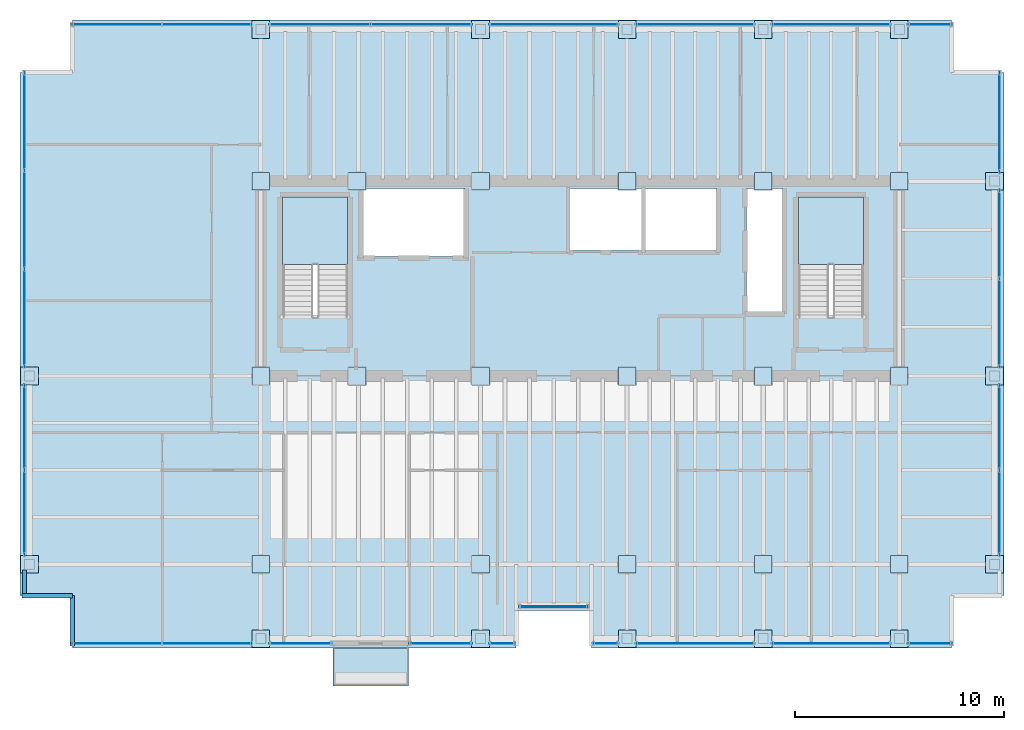
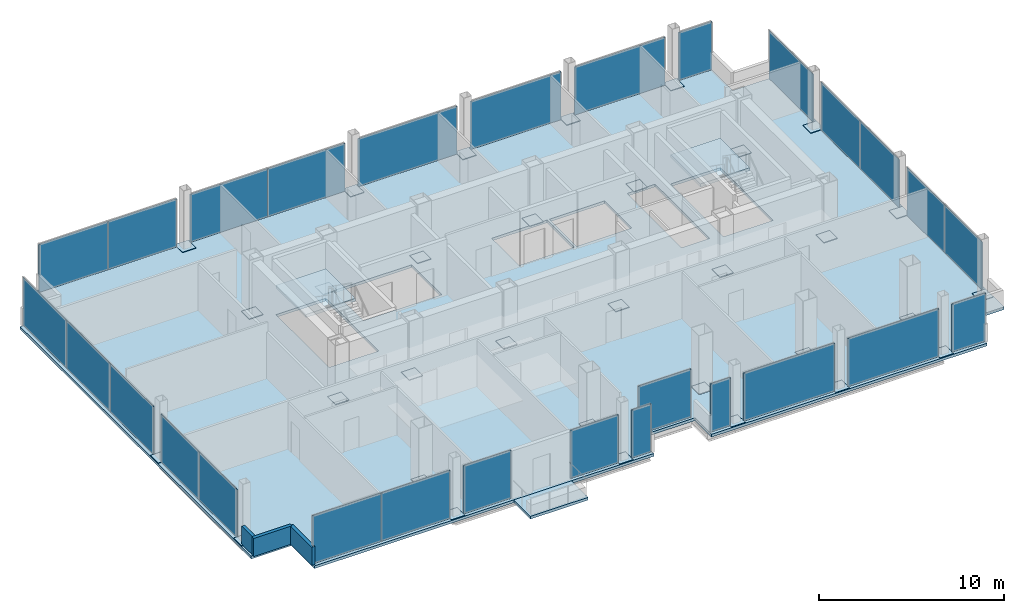
# One storey, part 15 of 19: 60 plates, 4 slabs, 3 walls, 6 openings, 22 elements without a shape of their own.
"""IFC4 building model written with IfcOpenShell, lengths in metres."""

from ifc_helpers import new_model, si_unit, direction, frame, frame_2d, origin, origin_2d, place, context, subcontext, project, spatial, polyline, rectangle, outline, extrude, material, layer, layer_set, type_object, element, aggregate, save


model = new_model("IFC4")

# Units and contexts
model_context = context("Model", 3, precision=1e-05, world=origin(), true_north=direction((0.0, 1.0)))
body_context = subcontext(model_context, "Body", "Model", "MODEL_VIEW")
ifc_project = project(units=[si_unit("LENGTHUNIT", "METRE"), si_unit("AREAUNIT", "SQUARE_METRE"), si_unit("VOLUMEUNIT", "CUBIC_METRE"), si_unit("PLANEANGLEUNIT", "RADIAN"), si_unit("MASSUNIT", "GRAM", prefix="KILO")], contexts=[model_context])

# Site, building, storey
site_placement = place(None, origin())
site = spatial("IfcSite", under=ifc_project, at=site_placement, CompositionType="ELEMENT")
building_placement = place(site_placement, origin())
building = spatial("IfcBuilding", under=site, at=building_placement, Name="Noeulbin Bourse Tower", CompositionType="ELEMENT")
storey_placement = place(building_placement, frame((0.0, 0.0, 157.800048828125)))
storey = spatial("IfcBuildingStorey", under=building, at=storey_placement, Name="L39", CompositionType="ELEMENT", Elevation=157.800048828125)

# Curtain wall, plate
ifc_material_1 = material(Name="Dark Tinted Triple Glazing", Category="glass")
curtain_wall_type = type_object("IfcCurtainWallType", Name="CW-SYS-3", PredefinedType="NOTDEFINED", material=ifc_material_1)
curtain_wall_1_placement = place(storey_placement, origin())
curtain_wall_1 = element("IfcCurtainWall", 1, at=curtain_wall_1_placement, inside=storey, type_object=curtain_wall_type, Name="Unitised Curtain Wall CW-L39-SREC", PredefinedType="NOTDEFINED")
ifc_layer_1 = layer(ifc_material_1, 0.035888671875)
ifc_layer_set_1 = layer_set([ifc_layer_1], Name="Dark Tinted Triple Glazing")
plate_type_1 = type_object("IfcPlateType", Name="CW-SYS-3-PNL", PredefinedType="CURTAIN_PANEL", material=ifc_layer_set_1)
plate_1_placement = place(storey_placement, frame((27.5, 17.97998046875, 0.0), z_axis=(0.0, 0.0, 1.0), x_axis=(1.0, 0.0, 0.0)))
plate_1 = element("IfcPlate", 2, at=plate_1_placement, type_object=plate_type_1, Name="Glazed Curtain Panel CW-L39-SREC-P00", PredefinedType="CURTAIN_PANEL", context=body_context, shape_type="SweptSolid", body=[
    extrude(rectangle(XDim=3.300048828125, YDim=0.035888671875, at=origin_2d()), origin(), (0.0, 0.0, 1.0), 3.179931640625),
])
aggregate(curtain_wall_1, [plate_1])

# Curtain wall, plates
curtain_wall_2_placement = place(storey_placement, origin())
curtain_wall_2 = element("IfcCurtainWall", 3, at=curtain_wall_2_placement, inside=storey, type_object=curtain_wall_type, Name="Unitised Curtain Wall CW-L39-S1-S1", PredefinedType="NOTDEFINED")
plate_2_placement = place(storey_placement, frame((6.632568359375, 16.219970703125, 0.0), z_axis=(0.0, 0.0, 1.0), x_axis=(1.0, 0.0, 0.0)))
plate_2 = element("IfcPlate", 4, at=plate_2_placement, type_object=plate_type_1, Name="Glazed Curtain Panel CW-L39-S1-S1-P00", PredefinedType="CURTAIN_PANEL", context=body_context, shape_type="SweptSolid", body=[
    extrude(rectangle(XDim=4.304931640625, YDim=0.035888671875, at=origin_2d()), origin(), (0.0, 0.0, 1.0), 3.179931640625),
])
plate_3_placement = place(storey_placement, frame((10.9375, 16.219970703125, 0.0), z_axis=(0.0, 0.0, 1.0), x_axis=(1.0, 0.0, 0.0)))
plate_3 = element("IfcPlate", 5, at=plate_3_placement, type_object=plate_type_1, Name="Glazed Curtain Panel CW-L39-S1-S1-P01", PredefinedType="CURTAIN_PANEL", context=body_context, shape_type="SweptSolid", body=[
    extrude(rectangle(XDim=4.304931640625, YDim=0.035888671875, at=origin_2d()), origin(), (0.0, 0.0, 1.0), 3.179931640625),
])
aggregate(curtain_wall_2, [plate_2, plate_3])

# Curtain wall, plate
curtain_wall_3_placement = place(storey_placement, origin())
curtain_wall_3 = element("IfcCurtainWall", 6, at=curtain_wall_3_placement, inside=storey, type_object=curtain_wall_type, Name="Unitised Curtain Wall CW-L39-S1-S2", PredefinedType="NOTDEFINED")
plate_4_placement = place(storey_placement, frame((15.405029296875, 16.219970703125, 0.0), z_axis=(0.0, 0.0, 1.0), x_axis=(1.0, 0.0, 0.0)))
plate_4 = element("IfcPlate", 7, at=plate_4_placement, type_object=plate_type_1, Name="Glazed Curtain Panel CW-L39-S1-S2-P00", PredefinedType="CURTAIN_PANEL", context=body_context, shape_type="SweptSolid", body=[
    extrude(rectangle(XDim=2.989990234375, YDim=0.035888671875, at=origin_2d()), origin(), (0.0, 0.0, 1.0), 3.179931640625),
])
aggregate(curtain_wall_3, [plate_4])

curtain_wall_4_placement = place(storey_placement, origin())
curtain_wall_4 = element("IfcCurtainWall", 8, at=curtain_wall_4_placement, inside=storey, type_object=curtain_wall_type, Name="Unitised Curtain Wall CW-L39-S2-S1", PredefinedType="NOTDEFINED")
plate_5_placement = place(storey_placement, frame((22.094970703125, 16.219970703125, 0.0), z_axis=(0.0, 0.0, 1.0), x_axis=(1.0, 0.0, 0.0)))
plate_5 = element("IfcPlate", 9, at=plate_5_placement, type_object=plate_type_1, Name="Glazed Curtain Panel CW-L39-S2-S1-P00", PredefinedType="CURTAIN_PANEL", context=body_context, shape_type="SweptSolid", body=[
    extrude(rectangle(XDim=2.989990234375, YDim=0.035888671875, at=origin_2d()), origin(), (0.0, 0.0, 1.0), 3.179931640625),
])
aggregate(curtain_wall_4, [plate_5])

curtain_wall_5_placement = place(storey_placement, origin())
curtain_wall_5 = element("IfcCurtainWall", 10, at=curtain_wall_5_placement, inside=storey, type_object=curtain_wall_type, Name="Unitised Curtain Wall CW-L39-S2-S2", PredefinedType="NOTDEFINED")
plate_6_placement = place(storey_placement, frame((25.030029296875, 16.219970703125, 0.0), z_axis=(0.0, 0.0, 1.0), x_axis=(1.0, 0.0, 0.0)))
plate_6 = element("IfcPlate", 11, at=plate_6_placement, type_object=plate_type_1, Name="Glazed Curtain Panel CW-L39-S2-S2-P00", PredefinedType="CURTAIN_PANEL", context=body_context, shape_type="SweptSolid", body=[
    extrude(rectangle(XDim=1.239990234375, YDim=0.035888671875, at=origin_2d()), origin(), (0.0, 0.0, 1.0), 3.179931640625),
])
aggregate(curtain_wall_5, [plate_6])

curtain_wall_6_placement = place(storey_placement, origin())
curtain_wall_6 = element("IfcCurtainWall", 12, at=curtain_wall_6_placement, inside=storey, type_object=curtain_wall_type, Name="Unitised Curtain Wall CW-L39-S3-S1", PredefinedType="NOTDEFINED")
plate_7_placement = place(storey_placement, frame((29.969970703125, 16.219970703125, 0.0), z_axis=(0.0, 0.0, 1.0), x_axis=(1.0, 0.0, 0.0)))
plate_7 = element("IfcPlate", 13, at=plate_7_placement, type_object=plate_type_1, Name="Glazed Curtain Panel CW-L39-S3-S1-P00", PredefinedType="CURTAIN_PANEL", context=body_context, shape_type="SweptSolid", body=[
    extrude(rectangle(XDim=1.239990234375, YDim=0.035888671875, at=origin_2d()), origin(), (0.0, 0.0, 1.0), 3.179931640625),
])
aggregate(curtain_wall_6, [plate_7])

curtain_wall_7_placement = place(storey_placement, origin())
curtain_wall_7 = element("IfcCurtainWall", 14, at=curtain_wall_7_placement, inside=storey, type_object=curtain_wall_type, Name="Unitised Curtain Wall CW-L39-S3-S2", PredefinedType="NOTDEFINED")
plate_8_placement = place(storey_placement, frame((34.25, 16.219970703125, 0.0), z_axis=(0.0, 0.0, 1.0), x_axis=(1.0, 0.0, 0.0)))
plate_8 = element("IfcPlate", 15, at=plate_8_placement, type_object=plate_type_1, Name="Glazed Curtain Panel CW-L39-S3-S2-P00", PredefinedType="CURTAIN_PANEL", context=body_context, shape_type="SweptSolid", body=[
    extrude(rectangle(XDim=5.679931640625, YDim=0.035888671875, at=origin_2d()), origin(), (0.0, 0.0, 1.0), 3.179931640625),
])
aggregate(curtain_wall_7, [plate_8])

curtain_wall_8_placement = place(storey_placement, origin())
curtain_wall_8 = element("IfcCurtainWall", 16, at=curtain_wall_8_placement, inside=storey, type_object=curtain_wall_type, Name="Unitised Curtain Wall CW-L39-S3-S3", PredefinedType="NOTDEFINED")
plate_9_placement = place(storey_placement, frame((40.75, 16.219970703125, 0.0), z_axis=(0.0, 0.0, 1.0), x_axis=(1.0, 0.0, 0.0)))
plate_9 = element("IfcPlate", 17, at=plate_9_placement, type_object=plate_type_1, Name="Glazed Curtain Panel CW-L39-S3-S3-P00", PredefinedType="CURTAIN_PANEL", context=body_context, shape_type="SweptSolid", body=[
    extrude(rectangle(XDim=5.679931640625, YDim=0.035888671875, at=origin_2d()), origin(), (0.0, 0.0, 1.0), 3.179931640625),
])
aggregate(curtain_wall_8, [plate_9])

curtain_wall_9_placement = place(storey_placement, origin())
curtain_wall_9 = element("IfcCurtainWall", 18, at=curtain_wall_9_placement, inside=storey, type_object=curtain_wall_type, Name="Unitised Curtain Wall CW-L39-S3-S4", PredefinedType="NOTDEFINED")
plate_10_placement = place(storey_placement, frame((45.465087890625, 16.219970703125, 0.0), z_axis=(0.0, 0.0, 1.0), x_axis=(1.0, 0.0, 0.0)))
plate_10 = element("IfcPlate", 19, at=plate_10_placement, type_object=plate_type_1, Name="Glazed Curtain Panel CW-L39-S3-S4-P00", PredefinedType="CURTAIN_PANEL", context=body_context, shape_type="SweptSolid", body=[
    extrude(rectangle(XDim=2.110107421875, YDim=0.035888671875, at=origin_2d()), origin(), (0.0, 0.0, 1.0), 3.179931640625),
])
aggregate(curtain_wall_9, [plate_10])

# Curtain wall, plates
curtain_wall_10_placement = place(storey_placement, origin())
curtain_wall_10 = element("IfcCurtainWall", 20, at=curtain_wall_10_placement, inside=storey, type_object=curtain_wall_type, Name="Unitised Curtain Wall CW-L39-N-S1", PredefinedType="NOTDEFINED")
plate_11_placement = place(storey_placement, frame((6.632568359375, 45.780029296875, 0.0), z_axis=(0.0, 0.0, 1.0), x_axis=(1.0, 0.0, 0.0)))
plate_11 = element("IfcPlate", 21, at=plate_11_placement, type_object=plate_type_1, Name="Glazed Curtain Panel CW-L39-N-S1-P00", PredefinedType="CURTAIN_PANEL", context=body_context, shape_type="SweptSolid", body=[
    extrude(rectangle(XDim=4.304931640625, YDim=0.035888671875, at=origin_2d()), origin(), (0.0, 0.0, 1.0), 3.179931640625),
])
plate_12_placement = place(storey_placement, frame((10.9375, 45.780029296875, 0.0), z_axis=(0.0, 0.0, 1.0), x_axis=(1.0, 0.0, 0.0)))
plate_12 = element("IfcPlate", 22, at=plate_12_placement, type_object=plate_type_1, Name="Glazed Curtain Panel CW-L39-N-S1-P01", PredefinedType="CURTAIN_PANEL", context=body_context, shape_type="SweptSolid", body=[
    extrude(rectangle(XDim=4.304931640625, YDim=0.035888671875, at=origin_2d()), origin(), (0.0, 0.0, 1.0), 3.179931640625),
])
aggregate(curtain_wall_10, [plate_11, plate_12])

curtain_wall_11_placement = place(storey_placement, origin())
curtain_wall_11 = element("IfcCurtainWall", 23, at=curtain_wall_11_placement, inside=storey, type_object=curtain_wall_type, Name="Unitised Curtain Wall CW-L39-N-S2", PredefinedType="NOTDEFINED")
plate_13_placement = place(storey_placement, frame((16.330078125, 45.780029296875, 0.0), z_axis=(0.0, 0.0, 1.0), x_axis=(1.0, 0.0, 0.0)))
plate_13 = element("IfcPlate", 24, at=plate_13_placement, type_object=plate_type_1, Name="Glazed Curtain Panel CW-L39-N-S2-P00", PredefinedType="CURTAIN_PANEL", context=body_context, shape_type="SweptSolid", body=[
    extrude(rectangle(XDim=4.840087890625, YDim=0.035888671875, at=origin_2d()), origin(), (0.0, 0.0, 1.0), 3.179931640625),
])
plate_14_placement = place(storey_placement, frame((21.169921875, 45.780029296875, 0.0), z_axis=(0.0, 0.0, 1.0), x_axis=(1.0, 0.0, 0.0)))
plate_14 = element("IfcPlate", 25, at=plate_14_placement, type_object=plate_type_1, Name="Glazed Curtain Panel CW-L39-N-S2-P01", PredefinedType="CURTAIN_PANEL", context=body_context, shape_type="SweptSolid", body=[
    extrude(rectangle(XDim=4.840087890625, YDim=0.035888671875, at=origin_2d()), origin(), (0.0, 0.0, 1.0), 3.179931640625),
])
aggregate(curtain_wall_11, [plate_13, plate_14])

# Curtain wall, plate
curtain_wall_12_placement = place(storey_placement, origin())
curtain_wall_12 = element("IfcCurtainWall", 26, at=curtain_wall_12_placement, inside=storey, type_object=curtain_wall_type, Name="Unitised Curtain Wall CW-L39-N-S3", PredefinedType="NOTDEFINED")
plate_15_placement = place(storey_placement, frame((27.5, 45.780029296875, 0.0), z_axis=(0.0, 0.0, 1.0), x_axis=(1.0, 0.0, 0.0)))
plate_15 = element("IfcPlate", 27, at=plate_15_placement, type_object=plate_type_1, Name="Glazed Curtain Panel CW-L39-N-S3-P00", PredefinedType="CURTAIN_PANEL", context=body_context, shape_type="SweptSolid", body=[
    extrude(rectangle(XDim=6.179931640625, YDim=0.035888671875, at=origin_2d()), origin(), (0.0, 0.0, 1.0), 3.179931640625),
])
aggregate(curtain_wall_12, [plate_15])

curtain_wall_13_placement = place(storey_placement, origin())
curtain_wall_13 = element("IfcCurtainWall", 28, at=curtain_wall_13_placement, inside=storey, type_object=curtain_wall_type, Name="Unitised Curtain Wall CW-L39-N-S4", PredefinedType="NOTDEFINED")
plate_16_placement = place(storey_placement, frame((34.25, 45.780029296875, 0.0), z_axis=(0.0, 0.0, 1.0), x_axis=(1.0, 0.0, 0.0)))
plate_16 = element("IfcPlate", 29, at=plate_16_placement, type_object=plate_type_1, Name="Glazed Curtain Panel CW-L39-N-S4-P00", PredefinedType="CURTAIN_PANEL", context=body_context, shape_type="SweptSolid", body=[
    extrude(rectangle(XDim=5.679931640625, YDim=0.035888671875, at=origin_2d()), origin(), (0.0, 0.0, 1.0), 3.179931640625),
])
aggregate(curtain_wall_13, [plate_16])

curtain_wall_14_placement = place(storey_placement, origin())
curtain_wall_14 = element("IfcCurtainWall", 30, at=curtain_wall_14_placement, inside=storey, type_object=curtain_wall_type, Name="Unitised Curtain Wall CW-L39-N-S5", PredefinedType="NOTDEFINED")
plate_17_placement = place(storey_placement, frame((40.75, 45.780029296875, 0.0), z_axis=(0.0, 0.0, 1.0), x_axis=(1.0, 0.0, 0.0)))
plate_17 = element("IfcPlate", 31, at=plate_17_placement, type_object=plate_type_1, Name="Glazed Curtain Panel CW-L39-N-S5-P00", PredefinedType="CURTAIN_PANEL", context=body_context, shape_type="SweptSolid", body=[
    extrude(rectangle(XDim=5.679931640625, YDim=0.035888671875, at=origin_2d()), origin(), (0.0, 0.0, 1.0), 3.179931640625),
])
aggregate(curtain_wall_14, [plate_17])

curtain_wall_15_placement = place(storey_placement, origin())
curtain_wall_15 = element("IfcCurtainWall", 32, at=curtain_wall_15_placement, inside=storey, type_object=curtain_wall_type, Name="Unitised Curtain Wall CW-L39-N-S6", PredefinedType="NOTDEFINED")
plate_18_placement = place(storey_placement, frame((45.465087890625, 45.780029296875, 0.0), z_axis=(0.0, 0.0, 1.0), x_axis=(1.0, 0.0, 0.0)))
plate_18 = element("IfcPlate", 33, at=plate_18_placement, type_object=plate_type_1, Name="Glazed Curtain Panel CW-L39-N-S6-P00", PredefinedType="CURTAIN_PANEL", context=body_context, shape_type="SweptSolid", body=[
    extrude(rectangle(XDim=2.110107421875, YDim=0.035888671875, at=origin_2d()), origin(), (0.0, 0.0, 1.0), 3.179931640625),
])
aggregate(curtain_wall_15, [plate_18])

# Curtain wall, plates
curtain_wall_16_placement = place(storey_placement, origin())
curtain_wall_16 = element("IfcCurtainWall", 34, at=curtain_wall_16_placement, inside=storey, type_object=curtain_wall_type, Name="Unitised Curtain Wall CW-L39-W-S1", PredefinedType="NOTDEFINED")
plate_19_placement = place(storey_placement, frame((2.219970703125, 22.455078125, 0.0), z_axis=(0.0, 0.0, 1.0), x_axis=(0.0, 1.0, 0.0)))
plate_19 = element("IfcPlate", 35, at=plate_19_placement, type_object=plate_type_1, Name="Glazed Curtain Panel CW-L39-W-S1-P00", PredefinedType="CURTAIN_PANEL", context=body_context, shape_type="SweptSolid", body=[
    extrude(rectangle(XDim=4.090087890625, YDim=0.035888671875, at=origin_2d()), origin(), (0.0, 0.0, 1.0), 3.179931640625),
])
plate_20_placement = place(storey_placement, frame((2.219970703125, 26.544921875, 0.0), z_axis=(0.0, 0.0, 1.0), x_axis=(0.0, 1.0, 0.0)))
plate_20 = element("IfcPlate", 36, at=plate_20_placement, type_object=plate_type_1, Name="Glazed Curtain Panel CW-L39-W-S1-P01", PredefinedType="CURTAIN_PANEL", context=body_context, shape_type="SweptSolid", body=[
    extrude(rectangle(XDim=4.090087890625, YDim=0.035888671875, at=origin_2d()), origin(), (0.0, 0.0, 1.0), 3.179931640625),
])
aggregate(curtain_wall_16, [plate_19, plate_20])

curtain_wall_17_placement = place(storey_placement, origin())
curtain_wall_17 = element("IfcCurtainWall", 37, at=curtain_wall_17_placement, inside=storey, type_object=curtain_wall_type, Name="Unitised Curtain Wall CW-L39-W-S2", PredefinedType="NOTDEFINED")
plate_21_placement = place(storey_placement, frame((2.219970703125, 31.76171875, 0.0), z_axis=(0.0, 0.0, 1.0), x_axis=(0.0, 1.0, 0.0)))
plate_21 = element("IfcPlate", 38, at=plate_21_placement, type_object=plate_type_1, Name="Glazed Curtain Panel CW-L39-W-S2-P00", PredefinedType="CURTAIN_PANEL", context=body_context, shape_type="SweptSolid", body=[
    extrude(rectangle(XDim=4.703369140625, YDim=0.035888671875, at=origin_2d()), origin(), (0.0, 0.0, 1.0), 3.179931640625),
])
plate_22_placement = place(storey_placement, frame((2.219970703125, 36.465087890625, 0.0), z_axis=(0.0, 0.0, 1.0), x_axis=(0.0, 1.0, 0.0)))
plate_22 = element("IfcPlate", 39, at=plate_22_placement, type_object=plate_type_1, Name="Glazed Curtain Panel CW-L39-W-S2-P01", PredefinedType="CURTAIN_PANEL", context=body_context, shape_type="SweptSolid", body=[
    extrude(rectangle(XDim=4.703369140625, YDim=0.035888671875, at=origin_2d()), origin(), (0.0, 0.0, 1.0), 3.179931640625),
])
plate_23_placement = place(storey_placement, frame((2.219970703125, 41.168212890625, 0.0), z_axis=(0.0, 0.0, 1.0), x_axis=(0.0, 1.0, 0.0)))
plate_23 = element("IfcPlate", 40, at=plate_23_placement, type_object=plate_type_1, Name="Glazed Curtain Panel CW-L39-W-S2-P02", PredefinedType="CURTAIN_PANEL", context=body_context, shape_type="SweptSolid", body=[
    extrude(rectangle(XDim=4.703369140625, YDim=0.035888671875, at=origin_2d()), origin(), (0.0, 0.0, 1.0), 3.179931640625),
])
aggregate(curtain_wall_17, [plate_21, plate_22, plate_23])

curtain_wall_18_placement = place(storey_placement, origin())
curtain_wall_18 = element("IfcCurtainWall", 41, at=curtain_wall_18_placement, inside=storey, type_object=curtain_wall_type, Name="Unitised Curtain Wall CW-L39-E-S1", PredefinedType="NOTDEFINED")
plate_24_placement = place(storey_placement, frame((48.780029296875, 22.455078125, 0.0), z_axis=(0.0, 0.0, 1.0), x_axis=(0.0, 1.0, 0.0)))
plate_24 = element("IfcPlate", 42, at=plate_24_placement, type_object=plate_type_1, Name="Glazed Curtain Panel CW-L39-E-S1-P00", PredefinedType="CURTAIN_PANEL", context=body_context, shape_type="SweptSolid", body=[
    extrude(rectangle(XDim=4.090087890625, YDim=0.035888671875, at=origin_2d()), origin(), (0.0, 0.0, 1.0), 3.179931640625),
])
plate_25_placement = place(storey_placement, frame((48.780029296875, 26.544921875, 0.0), z_axis=(0.0, 0.0, 1.0), x_axis=(0.0, 1.0, 0.0)))
plate_25 = element("IfcPlate", 43, at=plate_25_placement, type_object=plate_type_1, Name="Glazed Curtain Panel CW-L39-E-S1-P01", PredefinedType="CURTAIN_PANEL", context=body_context, shape_type="SweptSolid", body=[
    extrude(rectangle(XDim=4.090087890625, YDim=0.035888671875, at=origin_2d()), origin(), (0.0, 0.0, 1.0), 3.179931640625),
])
aggregate(curtain_wall_18, [plate_24, plate_25])

curtain_wall_19_placement = place(storey_placement, origin())
curtain_wall_19 = element("IfcCurtainWall", 44, at=curtain_wall_19_placement, inside=storey, type_object=curtain_wall_type, Name="Unitised Curtain Wall CW-L39-E-S2", PredefinedType="NOTDEFINED")
plate_26_placement = place(storey_placement, frame((48.780029296875, 31.530029296875, 0.0), z_axis=(0.0, 0.0, 1.0), x_axis=(0.0, 1.0, 0.0)))
plate_26 = element("IfcPlate", 45, at=plate_26_placement, type_object=plate_type_1, Name="Glazed Curtain Panel CW-L39-E-S2-P00", PredefinedType="CURTAIN_PANEL", context=body_context, shape_type="SweptSolid", body=[
    extrude(rectangle(XDim=4.239990234375, YDim=0.035888671875, at=origin_2d()), origin(), (0.0, 0.0, 1.0), 3.179931640625),
])
plate_27_placement = place(storey_placement, frame((48.780029296875, 35.77001953125, 0.0), z_axis=(0.0, 0.0, 1.0), x_axis=(0.0, 1.0, 0.0)))
plate_27 = element("IfcPlate", 46, at=plate_27_placement, type_object=plate_type_1, Name="Glazed Curtain Panel CW-L39-E-S2-P01", PredefinedType="CURTAIN_PANEL", context=body_context, shape_type="SweptSolid", body=[
    extrude(rectangle(XDim=4.239990234375, YDim=0.035888671875, at=origin_2d()), origin(), (0.0, 0.0, 1.0), 3.179931640625),
])
aggregate(curtain_wall_19, [plate_26, plate_27])

# Curtain wall, plate
curtain_wall_20_placement = place(storey_placement, origin())
curtain_wall_20 = element("IfcCurtainWall", 47, at=curtain_wall_20_placement, inside=storey, type_object=curtain_wall_type, Name="Unitised Curtain Wall CW-L39-E-S3", PredefinedType="NOTDEFINED")
plate_28_placement = place(storey_placement, frame((48.780029296875, 41.114990234375, 0.0), z_axis=(0.0, 0.0, 1.0), x_axis=(0.0, 1.0, 0.0)))
plate_28 = element("IfcPlate", 48, at=plate_28_placement, type_object=plate_type_1, Name="Glazed Curtain Panel CW-L39-E-S3-P00", PredefinedType="CURTAIN_PANEL", context=body_context, shape_type="SweptSolid", body=[
    extrude(rectangle(XDim=4.81005859375, YDim=0.035888671875, at=origin_2d()), origin(), (0.0, 0.0, 1.0), 3.179931640625),
])
aggregate(curtain_wall_20, [plate_28])

# Plates
ifc_material_2 = material(Name="Steel S355", Category="steel")
ifc_layer_2 = layer(ifc_material_2, 0.030029296875)
ifc_layer_set_2 = layer_set([ifc_layer_2], Name="Steel S355")
plate_type_2 = type_object("IfcPlateType", Name="PLT-BN1", PredefinedType="USERDEFINED", material=ifc_layer_set_2)
for number, where, z_axis, x_axis, name in (
    (49, (13.5, 29.0, 0.0048828125), (0.0, 0.0, 1.0), (1.0, 0.0, 0.0), "Mega-Column Splice Plate BN1-L39-01"),
    (50, (13.5, 38.300048828125, 0.0048828125), (0.0, 0.0, 1.0), (1.0, 0.0, 0.0), "Mega-Column Splice Plate BN1-L39-02"),
    (51, (18.10009765625, 29.0, 0.0048828125), (0.0, 0.0, 1.0), (1.0, 0.0, 0.0), "Mega-Column Splice Plate BN1-L39-03"),
    (52, (18.10009765625, 38.300048828125, 0.0048828125), (0.0, 0.0, 1.0), (1.0, 0.0, 0.0), "Mega-Column Splice Plate BN1-L39-04"),
    (53, (24.0, 29.0, 0.0048828125), (0.0, 0.0, 1.0), (1.0, 0.0, 0.0), "Mega-Column Splice Plate BN1-L39-05"),
    (54, (24.0, 38.300048828125, 0.0048828125), (0.0, 0.0, 1.0), (1.0, 0.0, 0.0), "Mega-Column Splice Plate BN1-L39-06"),
    (55, (31.0, 29.0, 0.0048828125), (0.0, 0.0, 1.0), (1.0, 0.0, 0.0), "Mega-Column Splice Plate BN1-L39-07"),
    (56, (31.0, 38.300048828125, 0.0048828125), (0.0, 0.0, 1.0), (1.0, 0.0, 0.0), "Mega-Column Splice Plate BN1-L39-08"),
    (57, (37.5, 29.0, 0.0048828125), (0.0, 0.0, 1.0), (1.0, 0.0, 0.0), "Mega-Column Splice Plate BN1-L39-09"),
    (58, (37.5, 38.300048828125, 0.0048828125), (0.0, 0.0, 1.0), (1.0, 0.0, 0.0), "Mega-Column Splice Plate BN1-L39-10"),
    (59, (44.0, 29.0, 0.0048828125), (0.0, 0.0, 1.0), (1.0, 0.0, 0.0), "Mega-Column Splice Plate BN1-L39-11"),
    (60, (44.0, 38.300048828125, 0.0048828125), (0.0, 0.0, 1.0), (1.0, 0.0, 0.0), "Mega-Column Splice Plate BN1-L39-12"),
    (61, (13.5, 20.0, 0.0048828125), (0.0, 0.0, 1.0), (1.0, 0.0, 0.0), "Mega-Column Splice Plate BN1-L39-13"),
    (62, (24.0, 20.0, 0.0048828125), (0.0, 0.0, 1.0), (1.0, 0.0, 0.0), "Mega-Column Splice Plate BN1-L39-14"),
    (63, (31.0, 20.0, 0.0048828125), (0.0, 0.0, 1.0), (1.0, 0.0, 0.0), "Mega-Column Splice Plate BN1-L39-15"),
    (64, (37.5, 20.0, 0.0048828125), (0.0, 0.0, 1.0), (1.0, 0.0, 0.0), "Mega-Column Splice Plate BN1-L39-16"),
    (65, (44.0, 20.0, 0.0048828125), (0.0, 0.0, 1.0), (1.0, 0.0, 0.0), "Mega-Column Splice Plate BN1-L39-17"),
    (66, (2.449951171875, 20.0, 0.0048828125), (0.0, 0.0, 1.0), (1.0, 0.0, 0.0), "Perimeter Column Splice Plate BN1-L39-01"),
    (67, (2.449951171875, 29.0, 0.0048828125), (0.0, 0.0, 1.0), (1.0, 0.0, 0.0), "Perimeter Column Splice Plate BN1-L39-02"),
    (68, (13.5, 16.449951171875, 0.0048828125), (0.0, 0.0, 1.0), (1.0, 0.0, 0.0), "Perimeter Column Splice Plate BN1-L39-03"),
    (69, (13.5, 45.550048828125, 0.0048828125), (0.0, 0.0, 1.0), (1.0, 0.0, 0.0), "Perimeter Column Splice Plate BN1-L39-04"),
    (70, (24.0, 16.449951171875, 0.0048828125), (0.0, 0.0, 1.0), (1.0, 0.0, 0.0), "Perimeter Column Splice Plate BN1-L39-05"),
    (71, (24.0, 45.550048828125, 0.0048828125), (0.0, 0.0, 1.0), (1.0, 0.0, 0.0), "Perimeter Column Splice Plate BN1-L39-06"),
    (72, (31.0, 16.449951171875, 0.0048828125), (0.0, 0.0, 1.0), (1.0, 0.0, 0.0), "Perimeter Column Splice Plate BN1-L39-07"),
    (73, (31.0, 45.550048828125, 0.0048828125), (0.0, 0.0, 1.0), (1.0, 0.0, 0.0), "Perimeter Column Splice Plate BN1-L39-08"),
    (74, (37.5, 16.449951171875, 0.0048828125), (0.0, 0.0, 1.0), (1.0, 0.0, 0.0), "Perimeter Column Splice Plate BN1-L39-09"),
    (75, (37.5, 45.550048828125, 0.0048828125), (0.0, 0.0, 1.0), (1.0, 0.0, 0.0), "Perimeter Column Splice Plate BN1-L39-10"),
    (76, (44.0, 16.449951171875, 0.0048828125), (0.0, 0.0, 1.0), (1.0, 0.0, 0.0), "Perimeter Column Splice Plate BN1-L39-11"),
    (77, (44.0, 45.550048828125, 0.0048828125), (0.0, 0.0, 1.0), (1.0, 0.0, 0.0), "Perimeter Column Splice Plate BN1-L39-12"),
    (78, (48.550048828125, 20.0, 0.0048828125), (0.0, 0.0, 1.0), (1.0, 0.0, 0.0), "Perimeter Column Splice Plate BN1-L39-13"),
    (79, (48.550048828125, 29.0, 0.0048828125), (0.0, 0.0, 1.0), (1.0, 0.0, 0.0), "Perimeter Column Splice Plate BN1-L39-14"),
    (80, (48.550048828125, 38.300048828125, 0.0048828125), (0.0, 0.0, 1.0), (1.0, 0.0, 0.0), "Perimeter Column Splice Plate BN1-L39-15"),
):
    element("IfcPlate", number, at=place(storey_placement, frame(where, z_axis=z_axis, x_axis=x_axis)), inside=storey, type_object=plate_type_2, Name=name, ObjectType="SPLICE PLATE", PredefinedType="USERDEFINED", context=body_context, shape_type="SweptSolid", body=[
        extrude(rectangle(XDim=0.85009765625, YDim=0.85009765625, at=origin_2d()), origin(), (0.0, 0.0, 1.0), 0.030029296875),
    ])

# Stair, slab
ifc_material_3 = material(Name="Concrete C40/50", Category="concrete")
stair_type = type_object("IfcStairType", Name="STR-CORE-1560", PredefinedType="HALF_TURN_STAIR", material=ifc_material_3)
stair_1_placement = place(storey_placement, origin())
stair_1 = element("IfcStair", 81, at=stair_1_placement, inside=storey, type_object=stair_type, Name="L39 ST-1", PredefinedType="HALF_TURN_STAIR")
ifc_layer_3 = layer(ifc_material_3, 0.199951171875)
ifc_layer_set_3 = layer_set([ifc_layer_3], Name="Concrete C40/50")
slab_type_1 = type_object("IfcSlabType", Name="SLB-LND-200", PredefinedType="LANDING", material=ifc_layer_set_3)
slab_1_placement = place(storey_placement, frame((0.0, 0.0, 1.75)))
slab_1 = element("IfcSlab", 82, at=slab_1_placement, type_object=slab_type_1, Name="ST-1 landing 1", PredefinedType="LANDING", context=body_context, shape_type="SweptSolid", body=[
    extrude(outline(polyline([(17.64990234375, 34.330078125), (17.64990234375, 37.5439453125), (14.550048828125, 37.5439453125), (14.550048828125, 34.330078125), (17.64990234375, 34.330078125)])), origin(), (0.0, 0.0, 1.0), 0.199951171875),
])
aggregate(stair_1, [slab_1])

stair_2_placement = place(storey_placement, origin())
stair_2 = element("IfcStair", 83, at=stair_2_placement, inside=storey, type_object=stair_type, Name="L39 ST-2", PredefinedType="HALF_TURN_STAIR")
slab_2_placement = place(storey_placement, frame((0.0, 0.0, 1.75)))
slab_2 = element("IfcSlab", 84, at=slab_2_placement, type_object=slab_type_1, Name="ST-2 landing 1", PredefinedType="LANDING", context=body_context, shape_type="SweptSolid", body=[
    extrude(outline(polyline([(42.280029296875, 34.330078125), (42.280029296875, 37.5439453125), (39.179931640625, 37.5439453125), (39.179931640625, 34.330078125), (42.280029296875, 34.330078125)])), origin(), (0.0, 0.0, 1.0), 0.199951171875),
])
aggregate(stair_2, [slab_2])

# Slab, openings
ifc_layer_4 = layer(ifc_material_3, 0.179931640625)
ifc_layer_set_4 = layer_set([ifc_layer_4], Name="Concrete C40/50")
slab_type_2 = type_object("IfcSlabType", Name="SLB-TYP-180", PredefinedType="FLOOR", material=ifc_layer_set_4)
slab_3_placement = place(storey_placement, frame((0.0, 0.0, -0.179931640625)))
slab_3 = element("IfcSlab", 85, at=slab_3_placement, inside=storey, type_object=slab_type_2, Name="Tower Structural Floor Slab L39", PredefinedType="FLOOR", context=body_context, shape_type="SweptSolid", body=[
    extrude(outline(polyline([(4.5, 16.0), (25.699951171875, 16.0), (25.699951171875, 17.800048828125), (29.300048828125, 17.800048828125), (29.300048828125, 16.0), (46.5, 16.0), (46.5, 18.5), (49.0, 18.5), (49.0, 43.5), (46.5, 43.5), (46.5, 46.0), (4.5, 46.0), (4.5, 43.5), (2.0, 43.5), (2.0, 18.5), (4.5, 18.5), (4.5, 16.0)]), holes=[polyline([(17.64990234375, 31.81005859375), (17.64990234375, 37.5439453125), (14.550048828125, 37.5439453125), (14.550048828125, 31.81005859375), (17.64990234375, 31.81005859375)]), polyline([(42.280029296875, 31.81005859375), (42.280029296875, 37.5439453125), (39.179931640625, 37.5439453125), (39.179931640625, 31.81005859375), (42.280029296875, 31.81005859375)]), polyline([(18.35009765625, 34.699951171875), (23.25, 34.699951171875), (23.25, 37.949951171875), (18.35009765625, 37.949951171875), (18.35009765625, 34.699951171875)]), polyline([(36.699951171875, 32.050048828125), (38.449951171875, 32.050048828125), (38.449951171875, 37.949951171875), (36.699951171875, 37.949951171875), (36.699951171875, 32.050048828125)]), polyline([(28.25, 35.0), (31.699951171875, 35.0), (31.699951171875, 37.949951171875), (28.25, 37.949951171875), (28.25, 35.0)]), polyline([(31.85009765625, 35.0), (35.300048828125, 35.0), (35.300048828125, 37.949951171875), (31.85009765625, 37.949951171875), (31.85009765625, 35.0)])]), origin(), (0.0, 0.0, 1.0), 0.179931640625),
])
opening_1_placement = place(slab_3_placement, frame((0.0, 0.0, -0.010009765625)))
element("IfcOpeningElement", 86, at=opening_1_placement, cuts=slab_3, Name="Slab Shaft Opening SLB-L39-TWR-1", PredefinedType="OPENING", context=body_context, shape_type="SweptSolid", body=[
    extrude(outline(polyline([(17.64990234375, 31.81005859375), (17.64990234375, 37.5439453125), (14.550048828125, 37.5439453125), (14.550048828125, 31.81005859375), (17.64990234375, 31.81005859375)])), origin(), (0.0, 0.0, 1.0), 0.199951171875),
])
opening_2_placement = place(slab_3_placement, frame((0.0, 0.0, -0.010009765625)))
element("IfcOpeningElement", 87, at=opening_2_placement, cuts=slab_3, Name="Slab Shaft Opening SLB-L39-TWR-2", PredefinedType="OPENING", context=body_context, shape_type="SweptSolid", body=[
    extrude(outline(polyline([(42.280029296875, 31.81005859375), (42.280029296875, 37.5439453125), (39.179931640625, 37.5439453125), (39.179931640625, 31.81005859375), (42.280029296875, 31.81005859375)])), origin(), (0.0, 0.0, 1.0), 0.199951171875),
])
opening_3_placement = place(slab_3_placement, frame((0.0, 0.0, -0.010009765625)))
element("IfcOpeningElement", 88, at=opening_3_placement, cuts=slab_3, Name="Slab Shaft Opening SLB-L39-TWR-3", PredefinedType="OPENING", context=body_context, shape_type="SweptSolid", body=[
    extrude(outline(polyline([(18.35009765625, 34.699951171875), (23.25, 34.699951171875), (23.25, 37.949951171875), (18.35009765625, 37.949951171875), (18.35009765625, 34.699951171875)])), origin(), (0.0, 0.0, 1.0), 0.199951171875),
])
opening_4_placement = place(slab_3_placement, frame((0.0, 0.0, -0.010009765625)))
element("IfcOpeningElement", 89, at=opening_4_placement, cuts=slab_3, Name="Slab Shaft Opening SLB-L39-TWR-4", PredefinedType="OPENING", context=body_context, shape_type="SweptSolid", body=[
    extrude(outline(polyline([(36.699951171875, 32.050048828125), (38.449951171875, 32.050048828125), (38.449951171875, 37.949951171875), (36.699951171875, 37.949951171875), (36.699951171875, 32.050048828125)])), origin(), (0.0, 0.0, 1.0), 0.199951171875),
])
opening_5_placement = place(slab_3_placement, frame((0.0, 0.0, -0.010009765625)))
element("IfcOpeningElement", 90, at=opening_5_placement, cuts=slab_3, Name="Slab Shaft Opening SLB-L39-TWR-5", PredefinedType="OPENING", context=body_context, shape_type="SweptSolid", body=[
    extrude(outline(polyline([(28.25, 35.0), (31.699951171875, 35.0), (31.699951171875, 37.949951171875), (28.25, 37.949951171875), (28.25, 35.0)])), origin(), (0.0, 0.0, 1.0), 0.199951171875),
])
opening_6_placement = place(slab_3_placement, frame((0.0, 0.0, -0.010009765625)))
element("IfcOpeningElement", 91, at=opening_6_placement, cuts=slab_3, Name="Slab Shaft Opening SLB-L39-TWR-6", PredefinedType="OPENING", context=body_context, shape_type="SweptSolid", body=[
    extrude(outline(polyline([(31.85009765625, 35.0), (35.300048828125, 35.0), (35.300048828125, 37.949951171875), (31.85009765625, 37.949951171875), (31.85009765625, 35.0)])), origin(), (0.0, 0.0, 1.0), 0.199951171875),
])

# Slab
slab_4_placement = place(storey_placement, frame((0.0, 0.0, -0.179931640625)))
element("IfcSlab", 92, at=slab_4_placement, inside=storey, type_object=slab_type_2, Name="Cantilevered Tree-Balcony Slab L39", PredefinedType="FLOOR", context=body_context, shape_type="SweptSolid", body=[
    extrude(outline(polyline([(16.949951171875, 14.199951171875), (20.550048828125, 14.199951171875), (20.550048828125, 16.0), (16.949951171875, 16.0), (16.949951171875, 14.199951171875)])), origin(), (0.0, 0.0, 1.0), 0.179931640625),
])

# Walls
ifc_layer_5 = layer(ifc_material_3, 0.199951171875)
ifc_layer_set_5 = layer_set([ifc_layer_5], Name="Concrete C40/50")
wall_type = type_object("IfcWallType", Name="WAL-PAR-200", PredefinedType="PARAPET", material=ifc_layer_set_5)
wall_placement = place(storey_placement, frame((2.219970703125, 18.60009765625, 0.0), z_axis=(0.0, 0.0, 1.0), x_axis=(0.0, 1.0, 0.0)))
element("IfcWall", 93, at=wall_placement, inside=storey, type_object=wall_type, Name="Perimeter Pier Spandrel Parapet L39-W1", PredefinedType="PARAPET", context=body_context, shape_type="SweptSolid", body=[
    extrude(rectangle(XDim=1.1298828125, YDim=0.199951171875, at=frame_2d((0.56494140625, 0.0))), origin(), (0.0, 0.0, 1.0), 1.199951171875),
])
for number, where, z_axis, x_axis, name in (
    (94, (2.10009765625, 18.5, 0.0), (0.0, 0.0, 1.0), (1.0, 0.0, 0.0), "Corner Notch Parapet L39-SW1"),
    (95, (4.5, 18.5, 0.0), (0.0, 0.0, 1.0), (0.0, -1.0, 0.0), "Corner Notch Parapet L39-SW2"),
):
    element("IfcWall", number, at=place(storey_placement, frame(where, z_axis=z_axis, x_axis=x_axis)), inside=storey, type_object=wall_type, Name=name, PredefinedType="PARAPET", context=body_context, shape_type="SweptSolid", body=[
        extrude(rectangle(XDim=2.39990234375, YDim=0.199951171875, at=frame_2d((1.199951171875, 0.0))), origin(), (0.0, 0.0, 1.0), 1.199951171875),
    ])

save(model, "model.ifc")
